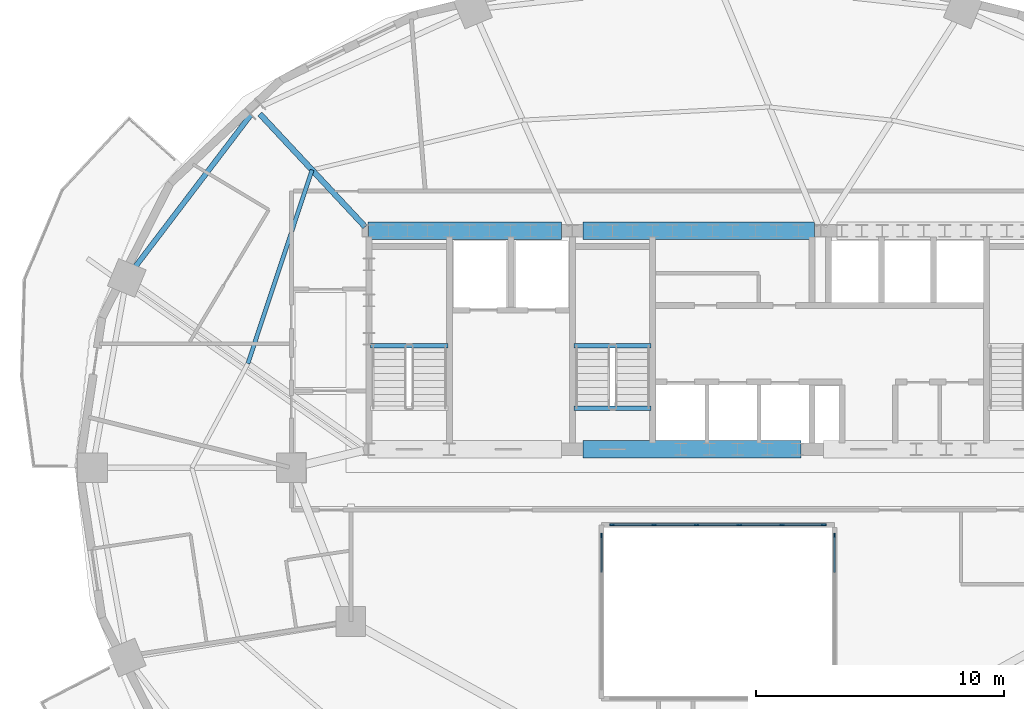
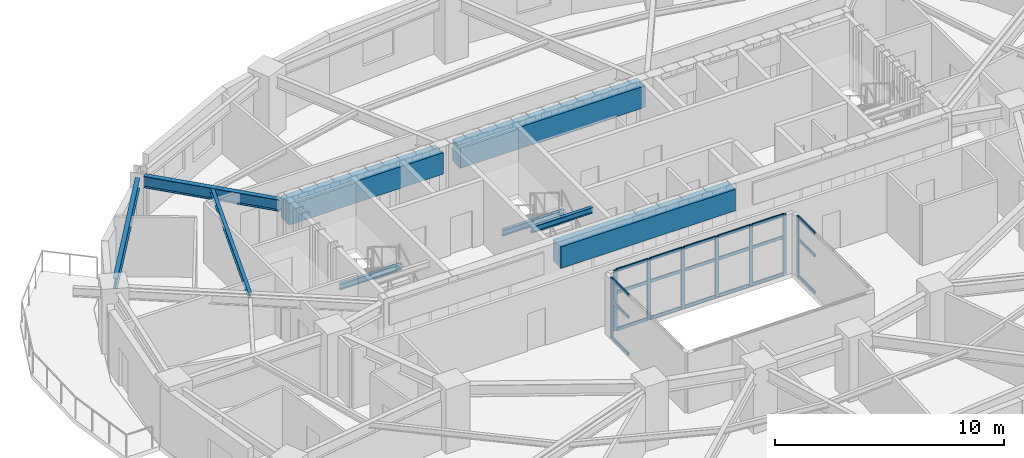
# One storey, part 3 of 12: 29 members, 9 beams, 3 elements without a shape of their own.
"""IFC4 building model written with IfcOpenShell, lengths in metres."""

from ifc_helpers import new_model, si_unit, direction, frame, origin, origin_2d, place, context, subcontext, project, spatial, rectangle, i_section, extrude, material, material_profile, profile_set, type_object, element, aggregate, save


model = new_model("IFC4")

# Units and contexts
model_context = context("Model", 3, precision=1e-05, world=origin(), true_north=direction((0.0, 1.0)))
body_context = subcontext(model_context, "Body", "Model", "MODEL_VIEW")
ifc_project = project(units=[si_unit("LENGTHUNIT", "METRE"), si_unit("AREAUNIT", "SQUARE_METRE"), si_unit("VOLUMEUNIT", "CUBIC_METRE"), si_unit("PLANEANGLEUNIT", "RADIAN"), si_unit("MASSUNIT", "GRAM", prefix="KILO")], contexts=[model_context])

# Site, building, storey
site_placement = place(None, origin())
site = spatial("IfcSite", under=ifc_project, at=site_placement, CompositionType="ELEMENT")
building_placement = place(site_placement, origin())
building = spatial("IfcBuilding", under=site, at=building_placement, Name="Haldorwick Loom Tower", CompositionType="ELEMENT")
storey_placement = place(building_placement, frame((0.0, 0.0, 154.449951171875)))
storey = spatial("IfcBuildingStorey", under=building, at=storey_placement, Name="L41", CompositionType="ELEMENT", Elevation=154.449951171875)

# Curtain wall, members
ifc_material_1 = material(Name="Thermally Broken Anodized Aluminium Curtain Wall Framing", Category="aluminium")
curtain_wall_type = type_object("IfcCurtainWallType", Name="ARC-CW-03", PredefinedType="NOTDEFINED", material=ifc_material_1)
curtain_wall_1_placement = place(storey_placement, origin())
curtain_wall_1 = element("IfcCurtainWall", 1, at=curtain_wall_1_placement, inside=storey, type_object=curtain_wall_type, Name="L41 Atrium Glazed Screen N", PredefinedType="NOTDEFINED")
ifc_material_profile_1 = material_profile(ifc_material_1, rectangle(XDim=0.06591796875, YDim=0.18505859375, at=origin_2d()), Name="ALU_MUL_66X185", Category="aluminium")
ifc_profile_set_1 = profile_set([ifc_material_profile_1], Name="Thermally Broken Anodized Aluminium Curtain Wall Framing")
member_type_1 = type_object("IfcMemberType", Name="ARC-CWM-03", PredefinedType="MULLION", material=ifc_profile_set_1)
member_1_placement = place(storey_placement, frame((31.73291015625, 23.699951171875, 0.0), z_axis=(0.0, 0.0, 1.0), x_axis=(0.0, 1.0, 0.0)))
member_1 = element("IfcMember", 2, at=member_1_placement, type_object=member_type_1, Name="CW-03 mullion 1", PredefinedType="MULLION", context=body_context, shape_type="SweptSolid", body=[
    extrude(rectangle(XDim=0.06591796875, YDim=0.18505859375, at=origin_2d()), origin(), (0.0, 0.0, 1.0), 3.2099609375),
])
member_2_placement = place(storey_placement, frame((33.419921875, 23.699951171875, 0.0), z_axis=(0.0, 0.0, 1.0), x_axis=(0.0, 1.0, 0.0)))
member_2 = element("IfcMember", 3, at=member_2_placement, type_object=member_type_1, Name="CW-03 mullion 2", PredefinedType="MULLION", context=body_context, shape_type="SweptSolid", body=[
    extrude(rectangle(XDim=0.06591796875, YDim=0.18505859375, at=origin_2d()), origin(), (0.0, 0.0, 1.0), 3.2099609375),
])
member_3_placement = place(storey_placement, frame((35.139892578125, 23.699951171875, 0.0), z_axis=(0.0, 0.0, 1.0), x_axis=(0.0, 1.0, 0.0)))
member_3 = element("IfcMember", 4, at=member_3_placement, type_object=member_type_1, Name="CW-03 mullion 3", PredefinedType="MULLION", context=body_context, shape_type="SweptSolid", body=[
    extrude(rectangle(XDim=0.06591796875, YDim=0.18505859375, at=origin_2d()), origin(), (0.0, 0.0, 1.0), 3.2099609375),
])
member_4_placement = place(storey_placement, frame((36.860107421875, 23.699951171875, 0.0), z_axis=(0.0, 0.0, 1.0), x_axis=(0.0, 1.0, 0.0)))
member_4 = element("IfcMember", 5, at=member_4_placement, type_object=member_type_1, Name="CW-03 mullion 4", PredefinedType="MULLION", context=body_context, shape_type="SweptSolid", body=[
    extrude(rectangle(XDim=0.06591796875, YDim=0.18505859375, at=origin_2d()), origin(), (0.0, 0.0, 1.0), 3.2099609375),
])
member_5_placement = place(storey_placement, frame((38.580078125, 23.699951171875, 0.0), z_axis=(0.0, 0.0, 1.0), x_axis=(0.0, 1.0, 0.0)))
member_5 = element("IfcMember", 6, at=member_5_placement, type_object=member_type_1, Name="CW-03 mullion 5", PredefinedType="MULLION", context=body_context, shape_type="SweptSolid", body=[
    extrude(rectangle(XDim=0.06591796875, YDim=0.18505859375, at=origin_2d()), origin(), (0.0, 0.0, 1.0), 3.2099609375),
])
member_6_placement = place(storey_placement, frame((40.26708984375, 23.699951171875, 0.0), z_axis=(0.0, 0.0, 1.0), x_axis=(0.0, 1.0, 0.0)))
member_6 = element("IfcMember", 7, at=member_6_placement, type_object=member_type_1, Name="CW-03 mullion 6", PredefinedType="MULLION", context=body_context, shape_type="SweptSolid", body=[
    extrude(rectangle(XDim=0.06591796875, YDim=0.18505859375, at=origin_2d()), origin(), (0.0, 0.0, 1.0), 3.2099609375),
])

# Curtain wall, member
curtain_wall_2_placement = place(storey_placement, origin())
curtain_wall_2 = element("IfcCurtainWall", 8, at=curtain_wall_2_placement, inside=storey, type_object=curtain_wall_type, Name="L41 Atrium Glazed Screen W", PredefinedType="NOTDEFINED")
member_7_placement = place(storey_placement, frame((31.300048828125, 23.26708984375, 0.0), z_axis=(0.0, 0.0, 1.0), x_axis=(-1.0, 0.0, 0.0)))
member_7 = element("IfcMember", 9, at=member_7_placement, type_object=member_type_1, Name="CW-03 mullion 5", PredefinedType="MULLION", context=body_context, shape_type="SweptSolid", body=[
    extrude(rectangle(XDim=0.06591796875, YDim=0.18505859375, at=origin_2d()), origin(), (0.0, 0.0, 1.0), 3.2099609375),
])

curtain_wall_3_placement = place(storey_placement, origin())
curtain_wall_3 = element("IfcCurtainWall", 10, at=curtain_wall_3_placement, inside=storey, type_object=curtain_wall_type, Name="L41 Atrium Glazed Screen E", PredefinedType="NOTDEFINED")
member_8_placement = place(storey_placement, frame((40.699951171875, 23.26708984375, 0.0), z_axis=(0.0, 0.0, 1.0), x_axis=(1.0, 0.0, 0.0)))
member_8 = element("IfcMember", 11, at=member_8_placement, type_object=member_type_1, Name="CW-03 mullion 1", PredefinedType="MULLION", context=body_context, shape_type="SweptSolid", body=[
    extrude(rectangle(XDim=0.06591796875, YDim=0.18505859375, at=origin_2d()), origin(), (0.0, 0.0, 1.0), 3.2099609375),
])

# Member
ifc_material_profile_2 = material_profile(ifc_material_1, rectangle(XDim=0.06591796875, YDim=0.1650390625, at=origin_2d()), Name="ALU_TRN_66X165", Category="aluminium")
ifc_profile_set_2 = profile_set([ifc_material_profile_2], Name="Thermally Broken Anodized Aluminium Curtain Wall Framing")
member_type_2 = type_object("IfcMemberType", Name="ARC-CWT-03", PredefinedType="USERDEFINED", material=ifc_profile_set_2)
member_9_placement = place(storey_placement, frame((31.76611328125, 23.699951171875, 0.032958984375), z_axis=(1.0, 0.0, 0.0), x_axis=(0.0, 1.0, 0.0)))
member_9 = element("IfcMember", 12, at=member_9_placement, type_object=member_type_2, Name="CW-03 transom 1.1", ObjectType="TRANSOM", PredefinedType="USERDEFINED", context=body_context, shape_type="SweptSolid", body=[
    extrude(rectangle(XDim=0.06591796875, YDim=0.1650390625, at=origin_2d()), origin(), (0.0, 0.0, 1.0), 1.620849609375),
])

member_10_placement = place(storey_placement, frame((31.76611328125, 23.699951171875, 2.0), z_axis=(1.0, 0.0, 0.0), x_axis=(0.0, 1.0, 0.0)))
member_10 = element("IfcMember", 13, at=member_10_placement, type_object=member_type_2, Name="CW-03 transom 1.2", ObjectType="TRANSOM", PredefinedType="USERDEFINED", context=body_context, shape_type="SweptSolid", body=[
    extrude(rectangle(XDim=0.06591796875, YDim=0.1650390625, at=origin_2d()), origin(), (0.0, 0.0, 1.0), 1.620849609375),
])

member_11_placement = place(storey_placement, frame((31.76611328125, 23.699951171875, 3.177001953125), z_axis=(1.0, 0.0, 0.0), x_axis=(0.0, 1.0, 0.0)))
member_11 = element("IfcMember", 14, at=member_11_placement, type_object=member_type_2, Name="CW-03 transom 1.3", ObjectType="TRANSOM", PredefinedType="USERDEFINED", context=body_context, shape_type="SweptSolid", body=[
    extrude(rectangle(XDim=0.06591796875, YDim=0.1650390625, at=origin_2d()), origin(), (0.0, 0.0, 1.0), 1.620849609375),
])

member_12_placement = place(storey_placement, frame((33.452880859375, 23.699951171875, 0.032958984375), z_axis=(1.0, 0.0, 0.0), x_axis=(0.0, 1.0, 0.0)))
member_12 = element("IfcMember", 15, at=member_12_placement, type_object=member_type_2, Name="CW-03 transom 2.1", ObjectType="TRANSOM", PredefinedType="USERDEFINED", context=body_context, shape_type="SweptSolid", body=[
    extrude(rectangle(XDim=0.06591796875, YDim=0.1650390625, at=origin_2d()), origin(), (0.0, 0.0, 1.0), 1.654052734375),
])

member_13_placement = place(storey_placement, frame((33.452880859375, 23.699951171875, 2.0), z_axis=(1.0, 0.0, 0.0), x_axis=(0.0, 1.0, 0.0)))
member_13 = element("IfcMember", 16, at=member_13_placement, type_object=member_type_2, Name="CW-03 transom 2.2", ObjectType="TRANSOM", PredefinedType="USERDEFINED", context=body_context, shape_type="SweptSolid", body=[
    extrude(rectangle(XDim=0.06591796875, YDim=0.1650390625, at=origin_2d()), origin(), (0.0, 0.0, 1.0), 1.654052734375),
])

member_14_placement = place(storey_placement, frame((33.452880859375, 23.699951171875, 3.177001953125), z_axis=(1.0, 0.0, 0.0), x_axis=(0.0, 1.0, 0.0)))
member_14 = element("IfcMember", 17, at=member_14_placement, type_object=member_type_2, Name="CW-03 transom 2.3", ObjectType="TRANSOM", PredefinedType="USERDEFINED", context=body_context, shape_type="SweptSolid", body=[
    extrude(rectangle(XDim=0.06591796875, YDim=0.1650390625, at=origin_2d()), origin(), (0.0, 0.0, 1.0), 1.654052734375),
])

member_15_placement = place(storey_placement, frame((35.173095703125, 23.699951171875, 0.032958984375), z_axis=(1.0, 0.0, 0.0), x_axis=(0.0, 1.0, 0.0)))
member_15 = element("IfcMember", 18, at=member_15_placement, type_object=member_type_2, Name="CW-03 transom 3.1", ObjectType="TRANSOM", PredefinedType="USERDEFINED", context=body_context, shape_type="SweptSolid", body=[
    extrude(rectangle(XDim=0.06591796875, YDim=0.1650390625, at=origin_2d()), origin(), (0.0, 0.0, 1.0), 1.65380859375),
])

member_16_placement = place(storey_placement, frame((35.173095703125, 23.699951171875, 2.0), z_axis=(1.0, 0.0, 0.0), x_axis=(0.0, 1.0, 0.0)))
member_16 = element("IfcMember", 19, at=member_16_placement, type_object=member_type_2, Name="CW-03 transom 3.2", ObjectType="TRANSOM", PredefinedType="USERDEFINED", context=body_context, shape_type="SweptSolid", body=[
    extrude(rectangle(XDim=0.06591796875, YDim=0.1650390625, at=origin_2d()), origin(), (0.0, 0.0, 1.0), 1.65380859375),
])

member_17_placement = place(storey_placement, frame((35.173095703125, 23.699951171875, 3.177001953125), z_axis=(1.0, 0.0, 0.0), x_axis=(0.0, 1.0, 0.0)))
member_17 = element("IfcMember", 20, at=member_17_placement, type_object=member_type_2, Name="CW-03 transom 3.3", ObjectType="TRANSOM", PredefinedType="USERDEFINED", context=body_context, shape_type="SweptSolid", body=[
    extrude(rectangle(XDim=0.06591796875, YDim=0.1650390625, at=origin_2d()), origin(), (0.0, 0.0, 1.0), 1.65380859375),
])

member_18_placement = place(storey_placement, frame((36.89306640625, 23.699951171875, 0.032958984375), z_axis=(1.0, 0.0, 0.0), x_axis=(0.0, 1.0, 0.0)))
member_18 = element("IfcMember", 21, at=member_18_placement, type_object=member_type_2, Name="CW-03 transom 4.1", ObjectType="TRANSOM", PredefinedType="USERDEFINED", context=body_context, shape_type="SweptSolid", body=[
    extrude(rectangle(XDim=0.06591796875, YDim=0.1650390625, at=origin_2d()), origin(), (0.0, 0.0, 1.0), 1.654052734375),
])

member_19_placement = place(storey_placement, frame((36.89306640625, 23.699951171875, 2.0), z_axis=(1.0, 0.0, 0.0), x_axis=(0.0, 1.0, 0.0)))
member_19 = element("IfcMember", 22, at=member_19_placement, type_object=member_type_2, Name="CW-03 transom 4.2", ObjectType="TRANSOM", PredefinedType="USERDEFINED", context=body_context, shape_type="SweptSolid", body=[
    extrude(rectangle(XDim=0.06591796875, YDim=0.1650390625, at=origin_2d()), origin(), (0.0, 0.0, 1.0), 1.654052734375),
])

member_20_placement = place(storey_placement, frame((36.89306640625, 23.699951171875, 3.177001953125), z_axis=(1.0, 0.0, 0.0), x_axis=(0.0, 1.0, 0.0)))
member_20 = element("IfcMember", 23, at=member_20_placement, type_object=member_type_2, Name="CW-03 transom 4.3", ObjectType="TRANSOM", PredefinedType="USERDEFINED", context=body_context, shape_type="SweptSolid", body=[
    extrude(rectangle(XDim=0.06591796875, YDim=0.1650390625, at=origin_2d()), origin(), (0.0, 0.0, 1.0), 1.654052734375),
])

member_21_placement = place(storey_placement, frame((38.613037109375, 23.699951171875, 0.032958984375), z_axis=(1.0, 0.0, 0.0), x_axis=(0.0, 1.0, 0.0)))
member_21 = element("IfcMember", 24, at=member_21_placement, type_object=member_type_2, Name="CW-03 transom 5.1", ObjectType="TRANSOM", PredefinedType="USERDEFINED", context=body_context, shape_type="SweptSolid", body=[
    extrude(rectangle(XDim=0.06591796875, YDim=0.1650390625, at=origin_2d()), origin(), (0.0, 0.0, 1.0), 1.620849609375),
])

member_22_placement = place(storey_placement, frame((38.613037109375, 23.699951171875, 2.0), z_axis=(1.0, 0.0, 0.0), x_axis=(0.0, 1.0, 0.0)))
member_22 = element("IfcMember", 25, at=member_22_placement, type_object=member_type_2, Name="CW-03 transom 5.2", ObjectType="TRANSOM", PredefinedType="USERDEFINED", context=body_context, shape_type="SweptSolid", body=[
    extrude(rectangle(XDim=0.06591796875, YDim=0.1650390625, at=origin_2d()), origin(), (0.0, 0.0, 1.0), 1.620849609375),
])

member_23_placement = place(storey_placement, frame((38.613037109375, 23.699951171875, 3.177001953125), z_axis=(1.0, 0.0, 0.0), x_axis=(0.0, 1.0, 0.0)))
member_23 = element("IfcMember", 26, at=member_23_placement, type_object=member_type_2, Name="CW-03 transom 5.3", ObjectType="TRANSOM", PredefinedType="USERDEFINED", context=body_context, shape_type="SweptSolid", body=[
    extrude(rectangle(XDim=0.06591796875, YDim=0.1650390625, at=origin_2d()), origin(), (0.0, 0.0, 1.0), 1.620849609375),
])

aggregate(curtain_wall_1, [member_1, member_2, member_3, member_4, member_5, member_6, member_9, member_10, member_11, member_12, member_13, member_14, member_15, member_16, member_17, member_18, member_19, member_20, member_21, member_22, member_23])

member_24_placement = place(storey_placement, frame((31.300048828125, 21.782958984375, 0.032958984375), z_axis=(0.0, 1.0, 0.0), x_axis=(-1.0, 0.0, 0.0)))
member_24 = element("IfcMember", 27, at=member_24_placement, type_object=member_type_2, Name="CW-03 transom 4.1", ObjectType="TRANSOM", PredefinedType="USERDEFINED", context=body_context, shape_type="SweptSolid", body=[
    extrude(rectangle(XDim=0.06591796875, YDim=0.1650390625, at=origin_2d()), origin(), (0.0, 0.0, 1.0), 1.450927734375),
])

member_25_placement = place(storey_placement, frame((31.300048828125, 21.782958984375, 2.0), z_axis=(0.0, 1.0, 0.0), x_axis=(-1.0, 0.0, 0.0)))
member_25 = element("IfcMember", 28, at=member_25_placement, type_object=member_type_2, Name="CW-03 transom 4.2", ObjectType="TRANSOM", PredefinedType="USERDEFINED", context=body_context, shape_type="SweptSolid", body=[
    extrude(rectangle(XDim=0.06591796875, YDim=0.1650390625, at=origin_2d()), origin(), (0.0, 0.0, 1.0), 1.450927734375),
])

member_26_placement = place(storey_placement, frame((31.300048828125, 21.782958984375, 3.177001953125), z_axis=(0.0, 1.0, 0.0), x_axis=(-1.0, 0.0, 0.0)))
member_26 = element("IfcMember", 29, at=member_26_placement, type_object=member_type_2, Name="CW-03 transom 4.3", ObjectType="TRANSOM", PredefinedType="USERDEFINED", context=body_context, shape_type="SweptSolid", body=[
    extrude(rectangle(XDim=0.06591796875, YDim=0.1650390625, at=origin_2d()), origin(), (0.0, 0.0, 1.0), 1.450927734375),
])

aggregate(curtain_wall_2, [member_7, member_24, member_25, member_26])

member_27_placement = place(storey_placement, frame((40.699951171875, 23.23388671875, 0.032958984375), z_axis=(0.0, -1.0, 0.0), x_axis=(1.0, 0.0, 0.0)))
member_27 = element("IfcMember", 30, at=member_27_placement, type_object=member_type_2, Name="CW-03 transom 1.1", ObjectType="TRANSOM", PredefinedType="USERDEFINED", context=body_context, shape_type="SweptSolid", body=[
    extrude(rectangle(XDim=0.06591796875, YDim=0.1650390625, at=origin_2d()), origin(), (0.0, 0.0, 1.0), 1.450927734375),
])

member_28_placement = place(storey_placement, frame((40.699951171875, 23.23388671875, 2.0), z_axis=(0.0, -1.0, 0.0), x_axis=(1.0, 0.0, 0.0)))
member_28 = element("IfcMember", 31, at=member_28_placement, type_object=member_type_2, Name="CW-03 transom 1.2", ObjectType="TRANSOM", PredefinedType="USERDEFINED", context=body_context, shape_type="SweptSolid", body=[
    extrude(rectangle(XDim=0.06591796875, YDim=0.1650390625, at=origin_2d()), origin(), (0.0, 0.0, 1.0), 1.450927734375),
])

member_29_placement = place(storey_placement, frame((40.699951171875, 23.23388671875, 3.177001953125), z_axis=(0.0, -1.0, 0.0), x_axis=(1.0, 0.0, 0.0)))
member_29 = element("IfcMember", 32, at=member_29_placement, type_object=member_type_2, Name="CW-03 transom 1.3", ObjectType="TRANSOM", PredefinedType="USERDEFINED", context=body_context, shape_type="SweptSolid", body=[
    extrude(rectangle(XDim=0.06591796875, YDim=0.1650390625, at=origin_2d()), origin(), (0.0, 0.0, 1.0), 1.450927734375),
])

aggregate(curtain_wall_3, [member_8, member_27, member_28, member_29])

# Beams
ifc_material_2 = material(Name="Concrete C60 (60 MPa)", Category="concrete")
ifc_material_profile_3 = material_profile(ifc_material_2, rectangle(XDim=0.699951171875, YDim=1.14990234375, at=origin_2d()), Name="RC700X1150", Category="concrete")
ifc_profile_set_3 = profile_set([ifc_material_profile_3], Name="Concrete C60 (60 MPa)")
beam_type_1 = type_object("IfcBeamType", Name="STR-BM-CB1150", PredefinedType="LINTEL", material=ifc_profile_set_3)
beam_1_placement = place(storey_placement, frame((21.89990234375, 35.550048828125, 2.635009765625), z_axis=(1.0, 0.0, 0.0), x_axis=(0.0, 1.0, 0.0)))
element("IfcBeam", 33, at=beam_1_placement, inside=storey, type_object=beam_type_1, Name="L41 Core Coupling Beam CB-N1", PredefinedType="LINTEL", context=body_context, shape_type="SweptSolid", body=[
    extrude(rectangle(XDim=0.699951171875, YDim=1.14990234375, at=origin_2d()), origin(), (0.0, 0.0, 1.0), 7.800048828125),
])
beam_2_placement = place(storey_placement, frame((30.550048828125, 35.550048828125, 2.635009765625), z_axis=(1.0, 0.0, 0.0), x_axis=(0.0, 1.0, 0.0)))
element("IfcBeam", 34, at=beam_2_placement, inside=storey, type_object=beam_type_1, Name="L41 Core Coupling Beam CB-N2", PredefinedType="LINTEL", context=body_context, shape_type="SweptSolid", body=[
    extrude(rectangle(XDim=0.699951171875, YDim=1.14990234375, at=origin_2d()), origin(), (0.0, 0.0, 1.0), 9.349853515625),
])
beam_3_placement = place(storey_placement, frame((30.550048828125, 26.75, 2.635009765625), z_axis=(1.0, 0.0, 0.0), x_axis=(0.0, 1.0, 0.0)))
element("IfcBeam", 35, at=beam_3_placement, inside=storey, type_object=beam_type_1, Name="L41 Core Coupling Beam CB-S2", PredefinedType="LINTEL", context=body_context, shape_type="SweptSolid", body=[
    extrude(rectangle(XDim=0.699951171875, YDim=1.14990234375, at=origin_2d()), origin(), (0.0, 0.0, 1.0), 8.800048828125),
])
ifc_material_3 = material(Name="Steel CSA G40.21 350W", Category="steel")
ifc_material_profile_4 = material_profile(ifc_material_3, i_section(OverallWidth=0.166015625, OverallDepth=0.31298828125, WebThickness=0.006591796875, FlangeThickness=0.01123046875, at=origin_2d()), Name="W310X45", Category="steel")
ifc_profile_set_4 = profile_set([ifc_material_profile_4], Name="Steel CSA G40.21 350W")
beam_type_2 = type_object("IfcBeamType", Name="STR-BM-J310", PredefinedType="JOIST", material=ifc_profile_set_4)
beam_4_placement = place(storey_placement, frame((19.63720703125, 38.007080078125, 3.053466796875), z_axis=(-0.314980632705, -0.949098098734, 0.0), x_axis=(0.949098098734, -0.314980632705, 0.0)))
element("IfcBeam", 36, at=beam_4_placement, inside=storey, type_object=beam_type_2, Name="L41 Mid-Bay Secondary Joist 7", PredefinedType="JOIST", context=body_context, shape_type="SweptSolid", body=[
    extrude(i_section(OverallWidth=0.166015625, OverallDepth=0.31298828125, WebThickness=0.006591796875, FlangeThickness=0.01123046875, at=origin_2d()), origin(), (0.0, 0.0, 1.0), 8.223876953125),
])
ifc_material_profile_5 = material_profile(ifc_material_3, i_section(OverallWidth=0.2119140625, OverallDepth=0.5439453125, WebThickness=0.01318359375, FlangeThickness=0.021240234375, at=origin_2d()), Name="W530X123", Category="steel")
ifc_profile_set_5 = profile_set([ifc_material_profile_5], Name="Steel CSA G40.21 350W")
beam_type_3 = type_object("IfcBeamType", Name="STR-BM-SP530", PredefinedType="SPANDREL", material=ifc_profile_set_5)
beam_5_placement = place(storey_placement, frame((17.177978515625, 40.245361328125, 2.93798828125), z_axis=(-0.605421356486, -0.795905133236, 0.0), x_axis=(0.795905133236, -0.605421356486, 0.0)))
element("IfcBeam", 37, at=beam_5_placement, inside=storey, type_object=beam_type_3, Name="L41 Perimeter Spandrel 7", PredefinedType="SPANDREL", context=body_context, shape_type="SweptSolid", body=[
    extrude(i_section(OverallWidth=0.2119140625, OverallDepth=0.5439453125, WebThickness=0.01318359375, FlangeThickness=0.021240234375, at=origin_2d()), origin(), (0.0, 0.0, 1.0), 7.761962890625),
])
ifc_material_profile_6 = material_profile(ifc_material_3, i_section(OverallWidth=0.166015625, OverallDepth=0.31298828125, WebThickness=0.006591796875, FlangeThickness=0.01123046875, at=origin_2d()), Name="W310X45", Category="steel")
ifc_profile_set_6 = profile_set([ifc_material_profile_6], Name="Steel CSA G40.21 350W")
beam_type_4 = type_object("IfcBeamType", Name="STR-BM-STRM", PredefinedType="BEAM", material=ifc_profile_set_6)
for number, where, z_axis, x_axis, name in (
    (38, (21.989990234375, 30.919921875, 1.36865234375), (1.0, 0.0, 0.0), (0.0, 1.0, 0.0), "L41 Stair ST-01 Half-Landing Trimmer 1"),
    (39, (30.18994140625, 28.39990234375, 3.053466796875), (1.0, 0.0, 0.0), (0.0, 1.0, 0.0), "L41 Stair ST-03 Landing Edge Trimmer"),
    (40, (30.18994140625, 30.919921875, 1.36865234375), (1.0, 0.0, 0.0), (0.0, 1.0, 0.0), "L41 Stair ST-03 Half-Landing Trimmer 1"),
):
    element("IfcBeam", number, at=place(storey_placement, frame(where, z_axis=z_axis, x_axis=x_axis)), inside=storey, type_object=beam_type_4, Name=name, PredefinedType="BEAM", context=body_context, shape_type="SweptSolid", body=[
        extrude(i_section(OverallWidth=0.166015625, OverallDepth=0.31298828125, WebThickness=0.006591796875, FlangeThickness=0.01123046875, at=origin_2d()), origin(), (0.0, 0.0, 1.0), 3.1201171875),
    ])
ifc_material_profile_7 = material_profile(ifc_material_3, i_section(OverallWidth=0.22998046875, OverallDepth=0.616943359375, WebThickness=0.01318359375, FlangeThickness=0.022216796875, at=origin_2d()), Name="W610X140", Category="steel")
ifc_profile_set_7 = profile_set([ifc_material_profile_7], Name="Steel CSA G40.21 350W")
beam_type_5 = type_object("IfcBeamType", Name="STR-BM-W610B", PredefinedType="BEAM", material=ifc_profile_set_7)
beam_6_placement = place(storey_placement, frame((21.776611328125, 35.714599609375, 2.901611328125), z_axis=(-0.682256728841, 0.731112683484, 0.0), x_axis=(-0.731112683484, -0.682256728841, 0.0)))
element("IfcBeam", 41, at=beam_6_placement, inside=storey, type_object=beam_type_5, Name="L41 Radial Floor Girder 7", PredefinedType="BEAM", context=body_context, shape_type="SweptSolid", body=[
    extrude(i_section(OverallWidth=0.22998046875, OverallDepth=0.616943359375, WebThickness=0.01318359375, FlangeThickness=0.022216796875, at=origin_2d()), origin(), (0.0, 0.0, 1.0), 6.221435546875),
])

save(model, "model.ifc")
